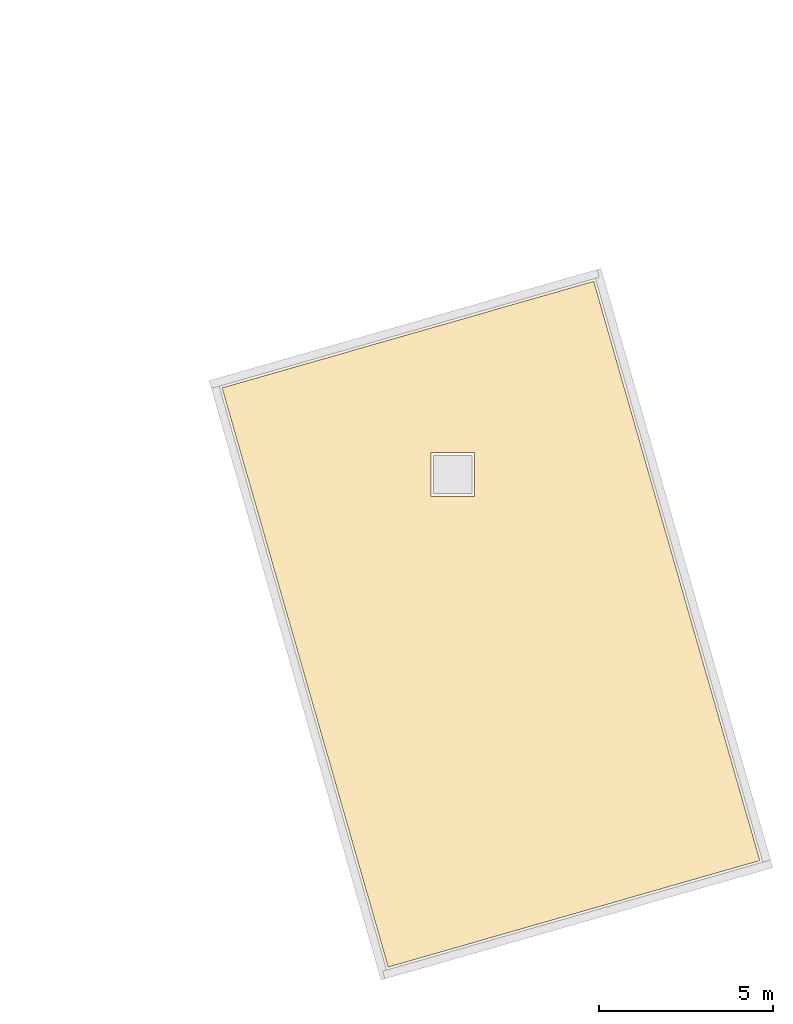
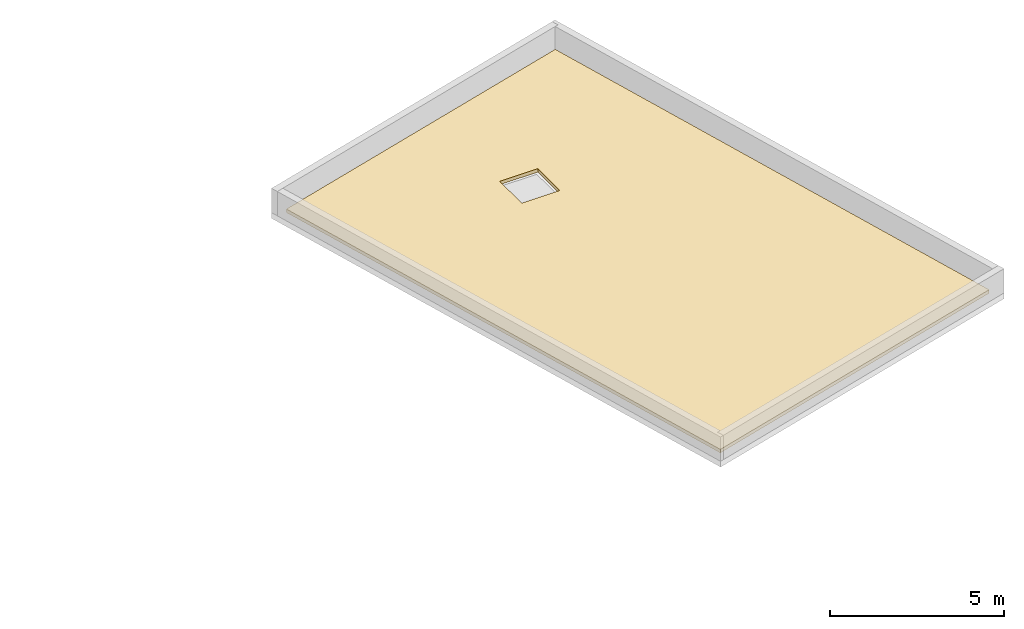
# One storey, part 5 of 5: 1 covering.
"""IFC4 building model written with IfcOpenShell, lengths in metres."""

from ifc_helpers import new_model, si_unit, direction, frame, origin, place, context, subcontext, project, spatial, polyline, outline, extrude, material, layer, layer_set, type_object, element, save


model = new_model("IFC4")

# Units and contexts
model_context = context("Model", 3, precision=1e-05, world=origin(), true_north=direction((0.0, 1.0)))
body_context = subcontext(model_context, "Body", "Model", "MODEL_VIEW")
ifc_project = project(units=[si_unit("LENGTHUNIT", "METRE"), si_unit("AREAUNIT", "SQUARE_METRE"), si_unit("VOLUMEUNIT", "CUBIC_METRE"), si_unit("PLANEANGLEUNIT", "RADIAN"), si_unit("MASSUNIT", "GRAM", prefix="KILO")], contexts=[model_context])

# Site, building, storey
site_placement = place(None, origin())
site = spatial("IfcSite", under=ifc_project, at=site_placement, CompositionType="ELEMENT")
building_placement = place(site_placement, origin())
building = spatial("IfcBuilding", under=site, at=building_placement, Name="Varnklinge Art Gallery", CompositionType="ELEMENT")
storey_placement = place(building_placement, frame((0.0, 0.0, 21.60009765625)))
storey = spatial("IfcBuildingStorey", under=building, at=storey_placement, Name="L05", CompositionType="ELEMENT", Elevation=21.60009765625)

# Covering
ifc_material = material(Name="EPDM & Intensive Green Roof Build-up", Category="membrane")
ifc_layer = layer(ifc_material, 0.1201171875)
ifc_layer_set = layer_set([ifc_layer], Name="EPDM & Intensive Green Roof Build-up")
covering_type = type_object("IfcCoveringType", Name="RFG-GRN", PredefinedType="ROOFING", material=ifc_layer_set)
covering_placement = place(storey_placement, origin())
element("IfcCovering", 1, at=covering_placement, inside=storey, type_object=covering_type, Name="L05 Roof Covering 07", PredefinedType="ROOFING", context=body_context, shape_type="SweptSolid", body=[
    extrude(outline(polyline([(133.415283203125, 21.21728515625), (128.64697265625, 37.84716796875), (117.976806640625, 34.78759765625), (122.745361328125, 18.15771484375), (133.415283203125, 21.21728515625)]), holes=[polyline([(125.22998046875, 31.669921875), (125.22998046875, 32.929931640625), (123.969970703125, 32.929931640625), (123.969970703125, 31.669921875), (125.22998046875, 31.669921875)])]), origin(), (0.0, 0.0, 1.0), 0.119873046875),
])

save(model, "model.ifc")
